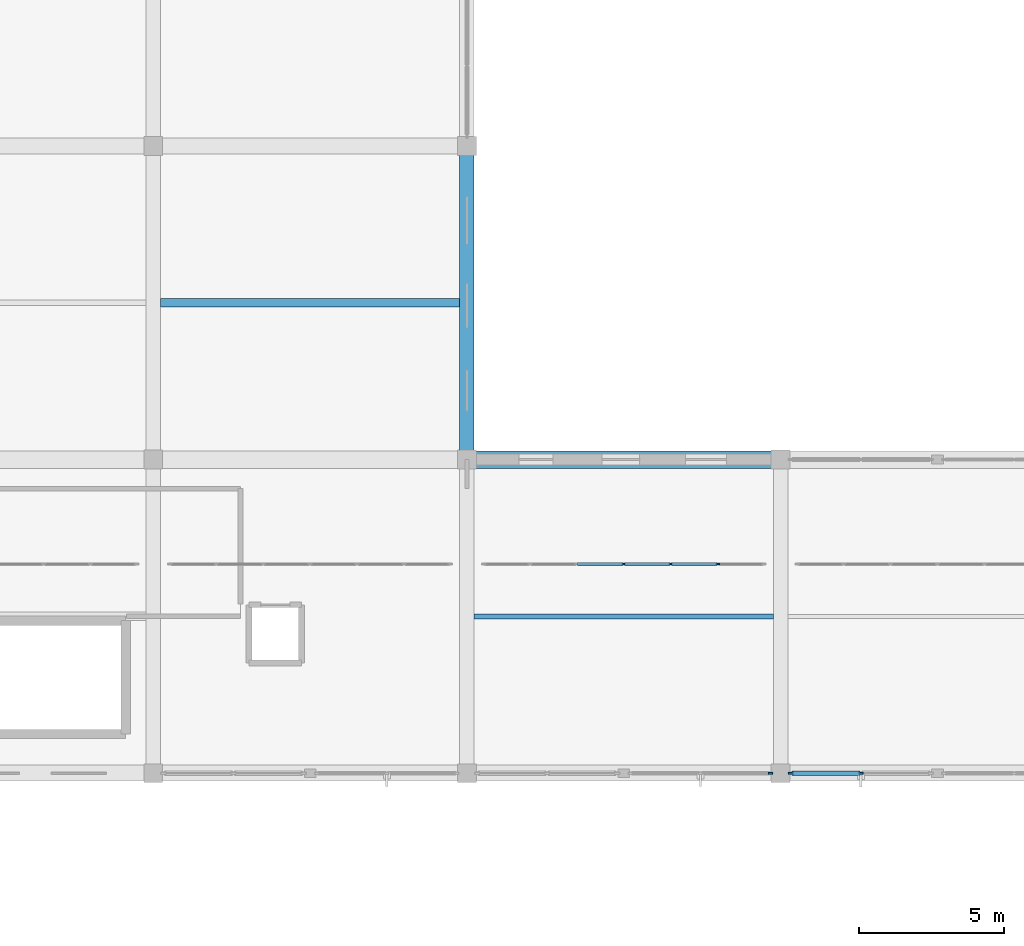
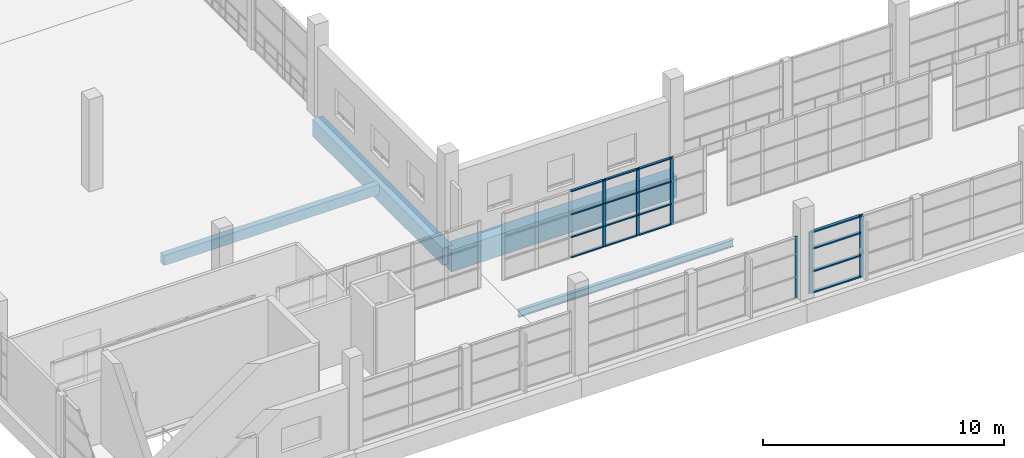
# One storey, part 25 of 142: 22 members, 4 beams, 3 elements without a shape of their own.
"""IFC4 building model written with IfcOpenShell, lengths in metres."""

from ifc_helpers import new_model, si_unit, direction, frame, origin, origin_2d, place, context, subcontext, project, spatial, rectangle, i_section, extrude, material, material_profile, profile_set, type_object, element, aggregate, save


model = new_model("IFC4")

# Units and contexts
model_context = context("Model", 3, precision=1e-05, world=origin(), true_north=direction((0.0, 1.0)))
body_context = subcontext(model_context, "Body", "Model", "MODEL_VIEW")
ifc_project = project(units=[si_unit("LENGTHUNIT", "METRE"), si_unit("AREAUNIT", "SQUARE_METRE"), si_unit("VOLUMEUNIT", "CUBIC_METRE"), si_unit("PLANEANGLEUNIT", "RADIAN"), si_unit("MASSUNIT", "GRAM", prefix="KILO")], contexts=[model_context])

# Site, building, storey
site_placement = place(None, origin())
site = spatial("IfcSite", under=ifc_project, at=site_placement, CompositionType="ELEMENT")
building_placement = place(site_placement, origin())
building = spatial("IfcBuilding", under=site, at=building_placement, Name="Zwinboog Wholesale Market", CompositionType="ELEMENT")
storey_placement = place(building_placement, frame((0.0, 0.0, 5.39990234375)))
storey = spatial("IfcBuildingStorey", under=building, at=storey_placement, Name="L01", CompositionType="ELEMENT", Elevation=5.39990234375)

# Beams
ifc_material_1 = material(Name="Precast concrete C45/55", Category="concrete")
ifc_material_profile_1 = material_profile(ifc_material_1, rectangle(XDim=0.60009765625, YDim=1.10009765625, at=origin_2d()), Name="PC 600x1100")
ifc_profile_set_1 = profile_set([ifc_material_profile_1], Name="Precast concrete C45/55")
beam_type_1 = type_object("IfcBeamType", Name="BT-01", PredefinedType="BEAM", material=ifc_profile_set_1)
beam_1_placement = place(storey_placement, frame((86.39990234375, 54.0, -0.85498046875), z_axis=(1.0, 0.0, 0.0), x_axis=(0.0, 1.0, 0.0)))
element("IfcBeam", 1, at=beam_1_placement, inside=storey, type_object=beam_type_1, Name="BG-01 (BMG-L01-0864-0540-0481)", PredefinedType="BEAM", context=body_context, shape_type="SweptSolid", body=[
    extrude(rectangle(XDim=0.60009765625, YDim=1.10009765625, at=origin_2d()), origin(), (0.0, 0.0, 1.0), 10.800048828125),
])
ifc_material_profile_2 = material_profile(ifc_material_1, rectangle(XDim=0.5, YDim=0.85009765625, at=origin_2d()), Name="PC 500x850")
ifc_profile_set_2 = profile_set([ifc_material_profile_2], Name="Precast concrete C45/55")
beam_type_2 = type_object("IfcBeamType", Name="BT-03", PredefinedType="BEAM", material=ifc_profile_set_2)
beam_2_placement = place(storey_placement, frame((86.39990234375, 54.0, -0.72998046875), z_axis=(0.0, 1.0, 0.0), x_axis=(-1.0, 0.0, 0.0)))
element("IfcBeam", 2, at=beam_2_placement, inside=storey, type_object=beam_type_2, Name="BG-03 (BMG-L01-0864-0540-0682)", PredefinedType="BEAM", context=body_context, shape_type="SweptSolid", body=[
    extrude(rectangle(XDim=0.5, YDim=0.85009765625, at=origin_2d()), origin(), (0.0, 0.0, 1.0), 10.800048828125),
])
ifc_material_profile_3 = material_profile(ifc_material_1, rectangle(XDim=0.300048828125, YDim=0.5, at=origin_2d()), Name="PC 300x500")
ifc_profile_set_3 = profile_set([ifc_material_profile_3], Name="Precast concrete C45/55")
beam_type_3 = type_object("IfcBeamType", Name="BT-10", PredefinedType="JOIST", material=ifc_profile_set_3)
beam_3_placement = place(storey_placement, frame((75.85009765625, 59.39990234375, -0.5048828125), z_axis=(1.0, 0.0, 0.0), x_axis=(0.0, 1.0, 0.0)))
element("IfcBeam", 3, at=beam_3_placement, inside=storey, type_object=beam_type_3, Name="BJ-01 (BMG-L01-0758-0594-0820)", PredefinedType="JOIST", context=body_context, shape_type="SweptSolid", body=[
    extrude(rectangle(XDim=0.300048828125, YDim=0.5, at=origin_2d()), origin(), (0.0, 0.0, 1.0), 10.2998046875),
])
ifc_material_2 = material(Name="Steel S355", Category="steel")
ifc_material_profile_4 = material_profile(ifc_material_2, i_section(OverallWidth=0.169921875, OverallDepth=0.360107421875, WebThickness=0.008056640625, FlangeThickness=0.0126953125, FilletRadius=0.01806640625, at=origin_2d()), Name="IPE 360")
ifc_profile_set_4 = profile_set([ifc_material_profile_4], Name="Steel S355")
beam_type_4 = type_object("IfcBeamType", Name="BT-20", PredefinedType="JOIST", material=ifc_profile_set_4)
beam_4_placement = place(storey_placement, frame((86.64990234375, 48.60009765625, -0.48486328125), z_axis=(1.0, 0.0, 0.0), x_axis=(0.0, 1.0, 0.0)))
element("IfcBeam", 4, at=beam_4_placement, inside=storey, type_object=beam_type_4, Name="SJ-03 (BMG-L01-0866-0486-0828)", PredefinedType="JOIST", context=body_context, shape_type="SweptSolid", body=[
    extrude(i_section(OverallWidth=0.169921875, OverallDepth=0.360107421875, WebThickness=0.008056640625, FlangeThickness=0.0126953125, FilletRadius=0.01806640625, at=origin_2d()), origin(), (0.0, 0.0, 1.0), 10.300048828125),
])

# Curtain wall, members
ifc_material_3 = material(Name="Aluminium thermally broken curtain wall", Category="aluminium")
curtain_wall_type_1 = type_object("IfcCurtainWallType", Name="CWT-HALL-24", PredefinedType="USERDEFINED", material=ifc_material_3)
curtain_wall_1_placement = place(storey_placement, origin())
curtain_wall_1 = element("IfcCurtainWall", 5, at=curtain_wall_1_placement, inside=storey, type_object=curtain_wall_type_1, Name="CW-03 (CW-L01-099)", ObjectType="UNITIZED_CURTAIN_WALL", PredefinedType="USERDEFINED")
ifc_material_4 = material(Name="Aluminium EN AW-6060", Category="aluminium")
ifc_material_profile_5 = material_profile(ifc_material_4, rectangle(XDim=0.06494140625, YDim=0.179931640625, at=origin_2d()), Name="AL 65x180")
ifc_profile_set_5 = profile_set([ifc_material_profile_5], Name="Aluminium EN AW-6060")
member_type_1 = type_object("IfcMemberType", Name="CWM-65x180", PredefinedType="MULLION", material=ifc_profile_set_5)
member_1_placement = place(storey_placement, frame((97.552490234375, 43.199951171875, 0.0), z_axis=(0.0, 0.0, 1.0), x_axis=(0.0, 1.0, 0.0)))
member_1 = element("IfcMember", 6, at=member_1_placement, type_object=member_type_1, Name="CW-03 mullion 1", PredefinedType="MULLION", context=body_context, shape_type="SweptSolid", body=[
    extrude(rectangle(XDim=0.06494140625, YDim=0.179931640625, at=origin_2d()), origin(), (0.0, 0.0, 1.0), 3.1201171875),
])
member_2_placement = place(storey_placement, frame((99.9599609375, 43.199951171875, 0.0), z_axis=(0.0, 0.0, 1.0), x_axis=(0.0, 1.0, 0.0)))
member_2 = element("IfcMember", 7, at=member_2_placement, type_object=member_type_1, Name="CW-03 mullion 2", PredefinedType="MULLION", context=body_context, shape_type="SweptSolid", body=[
    extrude(rectangle(XDim=0.06494140625, YDim=0.179931640625, at=origin_2d()), origin(), (0.0, 0.0, 1.0), 3.1201171875),
])

# Curtain wall, member
curtain_wall_type_2 = type_object("IfcCurtainWallType", Name="CWT-OFF-15", PredefinedType="USERDEFINED", material=ifc_material_3)
curtain_wall_2_placement = place(storey_placement, origin())
curtain_wall_2 = element("IfcCurtainWall", 8, at=curtain_wall_2_placement, inside=storey, type_object=curtain_wall_type_2, Name="CW-06 (CW-L01-096)", ObjectType="UNITIZED_CURTAIN_WALL", PredefinedType="USERDEFINED")
ifc_material_profile_6 = material_profile(ifc_material_4, rectangle(XDim=0.06005859375, YDim=0.14990234375, at=origin_2d()), Name="AL 60x150")
ifc_profile_set_6 = profile_set([ifc_material_profile_6], Name="Aluminium EN AW-6060")
member_type_2 = type_object("IfcMemberType", Name="CWM-60x150", PredefinedType="MULLION", material=ifc_profile_set_6)
member_3_placement = place(storey_placement, frame((96.85009765625, 43.199951171875, 0.0), z_axis=(0.0, 0.0, 1.0), x_axis=(0.0, 1.0, 0.0)))
member_3 = element("IfcMember", 9, at=member_3_placement, type_object=member_type_2, Name="CW-06 mullion 3", PredefinedType="MULLION", context=body_context, shape_type="SweptSolid", body=[
    extrude(rectangle(XDim=0.06005859375, YDim=0.14990234375, at=origin_2d()), origin(), (0.0, 0.0, 1.0), 3.1201171875),
])
aggregate(curtain_wall_2, [member_3])

# Member
ifc_material_profile_7 = material_profile(ifc_material_4, rectangle(XDim=0.139892578125, YDim=0.06494140625, at=origin_2d()), Name="AL 65x140")
ifc_profile_set_7 = profile_set([ifc_material_profile_7], Name="Aluminium EN AW-6060")
member_type_3 = type_object("IfcMemberType", Name="CWT-65x140", PredefinedType="USERDEFINED", material=ifc_profile_set_7)
member_4_placement = place(storey_placement, frame((97.5849609375, 43.199951171875, 0.03271484375), z_axis=(1.0, 0.0, 0.0), x_axis=(0.0, 1.0, 0.0)))
member_4 = element("IfcMember", 10, at=member_4_placement, type_object=member_type_3, Name="CW-03 transom 1.1", ObjectType="TRANSOM", PredefinedType="USERDEFINED", context=body_context, shape_type="SweptSolid", body=[
    extrude(rectangle(XDim=0.139892578125, YDim=0.06494140625, at=origin_2d()), origin(), (0.0, 0.0, 1.0), 2.342529296875),
])

member_5_placement = place(storey_placement, frame((97.5849609375, 43.199951171875, 1.10009765625), z_axis=(1.0, 0.0, 0.0), x_axis=(0.0, 1.0, 0.0)))
member_5 = element("IfcMember", 11, at=member_5_placement, type_object=member_type_3, Name="CW-03 transom 1.2", ObjectType="TRANSOM", PredefinedType="USERDEFINED", context=body_context, shape_type="SweptSolid", body=[
    extrude(rectangle(XDim=0.139892578125, YDim=0.06494140625, at=origin_2d()), origin(), (0.0, 0.0, 1.0), 2.342529296875),
])

member_6_placement = place(storey_placement, frame((97.5849609375, 43.199951171875, 2.25), z_axis=(1.0, 0.0, 0.0), x_axis=(0.0, 1.0, 0.0)))
member_6 = element("IfcMember", 12, at=member_6_placement, type_object=member_type_3, Name="CW-03 transom 1.3", ObjectType="TRANSOM", PredefinedType="USERDEFINED", context=body_context, shape_type="SweptSolid", body=[
    extrude(rectangle(XDim=0.139892578125, YDim=0.06494140625, at=origin_2d()), origin(), (0.0, 0.0, 1.0), 2.342529296875),
])

member_7_placement = place(storey_placement, frame((97.5849609375, 43.199951171875, 3.087646484375), z_axis=(1.0, 0.0, 0.0), x_axis=(0.0, 1.0, 0.0)))
member_7 = element("IfcMember", 13, at=member_7_placement, type_object=member_type_3, Name="CW-03 transom 1.4", ObjectType="TRANSOM", PredefinedType="USERDEFINED", context=body_context, shape_type="SweptSolid", body=[
    extrude(rectangle(XDim=0.139892578125, YDim=0.06494140625, at=origin_2d()), origin(), (0.0, 0.0, 1.0), 2.342529296875),
])

aggregate(curtain_wall_1, [member_1, member_2, member_4, member_5, member_6, member_7])

# Curtain wall, members
curtain_wall_type_3 = type_object("IfcCurtainWallType", Name="CWT-INT-STALL", PredefinedType="USERDEFINED", material=ifc_material_3)
curtain_wall_3_placement = place(storey_placement, origin())
curtain_wall_3 = element("IfcCurtainWall", 14, at=curtain_wall_3_placement, inside=storey, type_object=curtain_wall_type_3, Name="CW-07 (CW-STL-227)", ObjectType="STOREFRONT_GLAZING", PredefinedType="USERDEFINED")
ifc_material_profile_8 = material_profile(ifc_material_4, rectangle(XDim=0.06005859375, YDim=0.14990234375, at=origin_2d()), Name="AL 60x150")
ifc_profile_set_8 = profile_set([ifc_material_profile_8], Name="Aluminium EN AW-6060")
member_type_4 = type_object("IfcMemberType", Name="CWM-INT-60x120", PredefinedType="MULLION", material=ifc_profile_set_8)
member_8_placement = place(storey_placement, frame((91.800048828125, 50.39990234375, 0.0), z_axis=(0.0, 0.0, 1.0), x_axis=(0.0, 1.0, 0.0)))
member_8 = element("IfcMember", 15, at=member_8_placement, type_object=member_type_4, Name="CW-07 mullion 4", PredefinedType="MULLION", context=body_context, shape_type="SweptSolid", body=[
    extrude(rectangle(XDim=0.06005859375, YDim=0.14990234375, at=origin_2d()), origin(), (0.0, 0.0, 1.0), 3.400146484375),
])
member_9_placement = place(storey_placement, frame((93.416748046875, 50.39990234375, 0.0), z_axis=(0.0, 0.0, 1.0), x_axis=(0.0, 1.0, 0.0)))
member_9 = element("IfcMember", 16, at=member_9_placement, type_object=member_type_4, Name="CW-07 mullion 5", PredefinedType="MULLION", context=body_context, shape_type="SweptSolid", body=[
    extrude(rectangle(XDim=0.06005859375, YDim=0.14990234375, at=origin_2d()), origin(), (0.0, 0.0, 1.0), 3.400146484375),
])
member_10_placement = place(storey_placement, frame((95.033447265625, 50.39990234375, 0.0), z_axis=(0.0, 0.0, 1.0), x_axis=(0.0, 1.0, 0.0)))
member_10 = element("IfcMember", 17, at=member_10_placement, type_object=member_type_4, Name="CW-07 mullion 6", PredefinedType="MULLION", context=body_context, shape_type="SweptSolid", body=[
    extrude(rectangle(XDim=0.06005859375, YDim=0.14990234375, at=origin_2d()), origin(), (0.0, 0.0, 1.0), 3.400146484375),
])
ifc_material_profile_9 = material_profile(ifc_material_4, rectangle(XDim=0.110107421875, YDim=0.06005859375, at=origin_2d()), Name="AL 60x110")
ifc_profile_set_9 = profile_set([ifc_material_profile_9], Name="Aluminium EN AW-6060")
member_type_5 = type_object("IfcMemberType", Name="CWT-INT-60x100", PredefinedType="USERDEFINED", material=ifc_profile_set_9)
member_11_placement = place(storey_placement, frame((90.21337890625, 50.39990234375, 0.030029296875), z_axis=(1.0, 0.0, 0.0), x_axis=(0.0, 1.0, 0.0)))
member_11 = element("IfcMember", 18, at=member_11_placement, type_object=member_type_5, Name="CW-07 transom 3.1", ObjectType="TRANSOM", PredefinedType="USERDEFINED", context=body_context, shape_type="SweptSolid", body=[
    extrude(rectangle(XDim=0.110107421875, YDim=0.06005859375, at=origin_2d()), origin(), (0.0, 0.0, 1.0), 1.556640625),
])
member_12_placement = place(storey_placement, frame((90.21337890625, 50.39990234375, 1.050048828125), z_axis=(1.0, 0.0, 0.0), x_axis=(0.0, 1.0, 0.0)))
member_12 = element("IfcMember", 19, at=member_12_placement, type_object=member_type_5, Name="CW-07 transom 3.2", ObjectType="TRANSOM", PredefinedType="USERDEFINED", context=body_context, shape_type="SweptSolid", body=[
    extrude(rectangle(XDim=0.110107421875, YDim=0.06005859375, at=origin_2d()), origin(), (0.0, 0.0, 1.0), 1.556640625),
])
member_13_placement = place(storey_placement, frame((90.21337890625, 50.39990234375, 2.2001953125), z_axis=(1.0, 0.0, 0.0), x_axis=(0.0, 1.0, 0.0)))
member_13 = element("IfcMember", 20, at=member_13_placement, type_object=member_type_5, Name="CW-07 transom 3.3", ObjectType="TRANSOM", PredefinedType="USERDEFINED", context=body_context, shape_type="SweptSolid", body=[
    extrude(rectangle(XDim=0.110107421875, YDim=0.06005859375, at=origin_2d()), origin(), (0.0, 0.0, 1.0), 1.556640625),
])
member_14_placement = place(storey_placement, frame((90.21337890625, 50.39990234375, 3.3701171875), z_axis=(1.0, 0.0, 0.0), x_axis=(0.0, 1.0, 0.0)))
member_14 = element("IfcMember", 21, at=member_14_placement, type_object=member_type_5, Name="CW-07 transom 3.4", ObjectType="TRANSOM", PredefinedType="USERDEFINED", context=body_context, shape_type="SweptSolid", body=[
    extrude(rectangle(XDim=0.110107421875, YDim=0.06005859375, at=origin_2d()), origin(), (0.0, 0.0, 1.0), 1.556640625),
])
member_15_placement = place(storey_placement, frame((91.830078125, 50.39990234375, 0.030029296875), z_axis=(1.0, 0.0, 0.0), x_axis=(0.0, 1.0, 0.0)))
member_15 = element("IfcMember", 22, at=member_15_placement, type_object=member_type_5, Name="CW-07 transom 4.1", ObjectType="TRANSOM", PredefinedType="USERDEFINED", context=body_context, shape_type="SweptSolid", body=[
    extrude(rectangle(XDim=0.110107421875, YDim=0.06005859375, at=origin_2d()), origin(), (0.0, 0.0, 1.0), 1.556640625),
])
member_16_placement = place(storey_placement, frame((91.830078125, 50.39990234375, 1.050048828125), z_axis=(1.0, 0.0, 0.0), x_axis=(0.0, 1.0, 0.0)))
member_16 = element("IfcMember", 23, at=member_16_placement, type_object=member_type_5, Name="CW-07 transom 4.2", ObjectType="TRANSOM", PredefinedType="USERDEFINED", context=body_context, shape_type="SweptSolid", body=[
    extrude(rectangle(XDim=0.110107421875, YDim=0.06005859375, at=origin_2d()), origin(), (0.0, 0.0, 1.0), 1.556640625),
])
member_17_placement = place(storey_placement, frame((91.830078125, 50.39990234375, 2.2001953125), z_axis=(1.0, 0.0, 0.0), x_axis=(0.0, 1.0, 0.0)))
member_17 = element("IfcMember", 24, at=member_17_placement, type_object=member_type_5, Name="CW-07 transom 4.3", ObjectType="TRANSOM", PredefinedType="USERDEFINED", context=body_context, shape_type="SweptSolid", body=[
    extrude(rectangle(XDim=0.110107421875, YDim=0.06005859375, at=origin_2d()), origin(), (0.0, 0.0, 1.0), 1.556640625),
])
member_18_placement = place(storey_placement, frame((91.830078125, 50.39990234375, 3.3701171875), z_axis=(1.0, 0.0, 0.0), x_axis=(0.0, 1.0, 0.0)))
member_18 = element("IfcMember", 25, at=member_18_placement, type_object=member_type_5, Name="CW-07 transom 4.4", ObjectType="TRANSOM", PredefinedType="USERDEFINED", context=body_context, shape_type="SweptSolid", body=[
    extrude(rectangle(XDim=0.110107421875, YDim=0.06005859375, at=origin_2d()), origin(), (0.0, 0.0, 1.0), 1.556640625),
])
member_19_placement = place(storey_placement, frame((93.44677734375, 50.39990234375, 0.030029296875), z_axis=(1.0, 0.0, 0.0), x_axis=(0.0, 1.0, 0.0)))
member_19 = element("IfcMember", 26, at=member_19_placement, type_object=member_type_5, Name="CW-07 transom 5.1", ObjectType="TRANSOM", PredefinedType="USERDEFINED", context=body_context, shape_type="SweptSolid", body=[
    extrude(rectangle(XDim=0.110107421875, YDim=0.06005859375, at=origin_2d()), origin(), (0.0, 0.0, 1.0), 1.556640625),
])
member_20_placement = place(storey_placement, frame((93.44677734375, 50.39990234375, 1.050048828125), z_axis=(1.0, 0.0, 0.0), x_axis=(0.0, 1.0, 0.0)))
member_20 = element("IfcMember", 27, at=member_20_placement, type_object=member_type_5, Name="CW-07 transom 5.2", ObjectType="TRANSOM", PredefinedType="USERDEFINED", context=body_context, shape_type="SweptSolid", body=[
    extrude(rectangle(XDim=0.110107421875, YDim=0.06005859375, at=origin_2d()), origin(), (0.0, 0.0, 1.0), 1.556640625),
])
member_21_placement = place(storey_placement, frame((93.44677734375, 50.39990234375, 2.2001953125), z_axis=(1.0, 0.0, 0.0), x_axis=(0.0, 1.0, 0.0)))
member_21 = element("IfcMember", 28, at=member_21_placement, type_object=member_type_5, Name="CW-07 transom 5.3", ObjectType="TRANSOM", PredefinedType="USERDEFINED", context=body_context, shape_type="SweptSolid", body=[
    extrude(rectangle(XDim=0.110107421875, YDim=0.06005859375, at=origin_2d()), origin(), (0.0, 0.0, 1.0), 1.556640625),
])
member_22_placement = place(storey_placement, frame((93.44677734375, 50.39990234375, 3.3701171875), z_axis=(1.0, 0.0, 0.0), x_axis=(0.0, 1.0, 0.0)))
member_22 = element("IfcMember", 29, at=member_22_placement, type_object=member_type_5, Name="CW-07 transom 5.4", ObjectType="TRANSOM", PredefinedType="USERDEFINED", context=body_context, shape_type="SweptSolid", body=[
    extrude(rectangle(XDim=0.110107421875, YDim=0.06005859375, at=origin_2d()), origin(), (0.0, 0.0, 1.0), 1.556640625),
])
aggregate(curtain_wall_3, [member_8, member_9, member_10, member_11, member_12, member_13, member_14, member_15, member_16, member_17, member_18, member_19, member_20, member_21, member_22])

save(model, "model.ifc")
